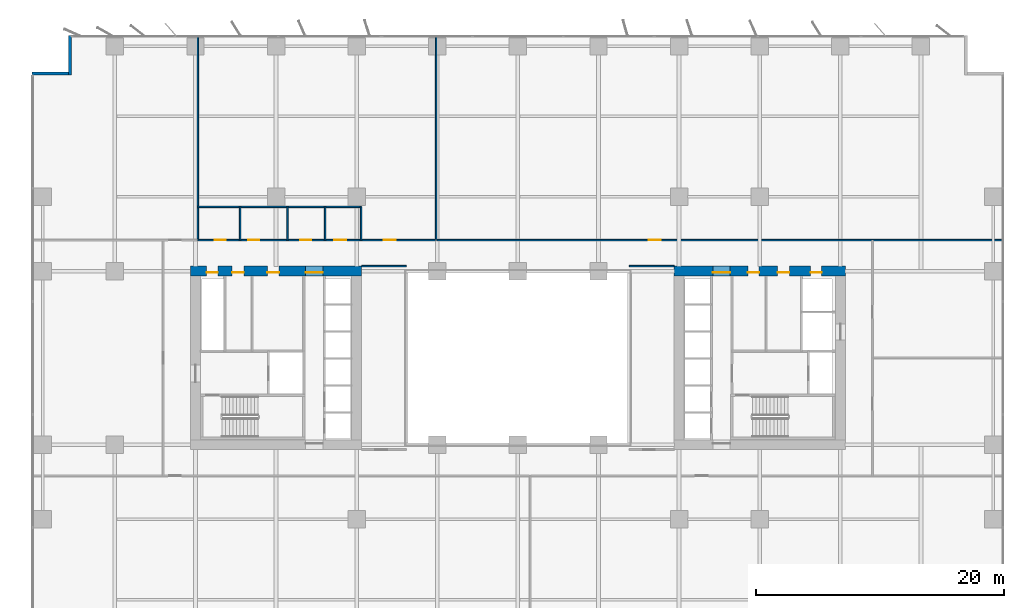
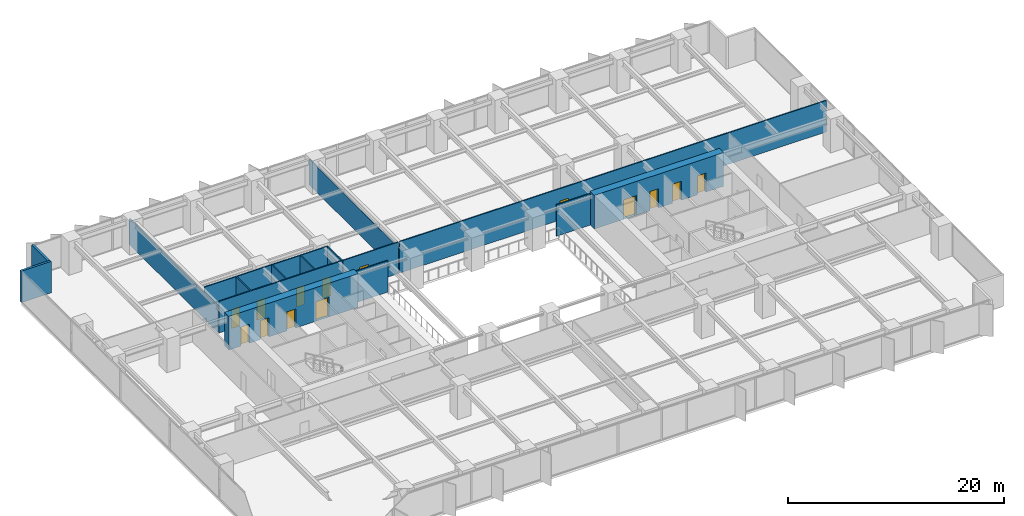
# One storey, part 15 of 20: 16 walls, 14 doors, 14 openings.
"""IFC4 building model written with IfcOpenShell, lengths in metres."""

from ifc_helpers import new_model, si_unit, direction, frame, frame_2d, origin, place, context, subcontext, project, spatial, rectangle, extrude, material, layer, layer_set, type_object, element, fill, save


model = new_model("IFC4")

# Units and contexts
model_context = context("Model", 3, precision=1e-05, world=origin(), true_north=direction((0.0, 1.0)))
body_context = subcontext(model_context, "Body", "Model", "MODEL_VIEW")
ifc_project = project(units=[si_unit("LENGTHUNIT", "METRE"), si_unit("AREAUNIT", "SQUARE_METRE"), si_unit("VOLUMEUNIT", "CUBIC_METRE"), si_unit("PLANEANGLEUNIT", "RADIAN"), si_unit("MASSUNIT", "GRAM", prefix="KILO")], contexts=[model_context])

# Site, building, storey
site_placement = place(None, origin())
site = spatial("IfcSite", under=ifc_project, at=site_placement, CompositionType="ELEMENT")
building_placement = place(site_placement, origin())
building = spatial("IfcBuilding", under=site, at=building_placement, Name="Putna Gate Headquarters", CompositionType="ELEMENT")
storey_placement = place(building_placement, frame((0.0, 0.0, 31.60009765625)))
storey = spatial("IfcBuildingStorey", under=building, at=storey_placement, Name="L06", CompositionType="ELEMENT", Elevation=31.60009765625)

# Wall, openings, doors
ifc_material_1 = material(Name="Concrete C60/75", Category="concrete")
ifc_layer_1 = layer(ifc_material_1, 0.800048828125)
ifc_layer_set_1 = layer_set([ifc_layer_1], Name="Concrete C60/75")
wall_type_1 = type_object("IfcWallType", Name="WALL-CORE-800", PredefinedType="SHEAR", material=ifc_layer_set_1)
wall_1_placement = place(storey_placement, frame((12.60009765625, 33.0, 0.0), z_axis=(0.0, 0.0, 1.0), x_axis=(1.0, 0.0, 0.0)))
wall_1 = element("IfcWall", 1, at=wall_1_placement, inside=storey, type_object=wall_type_1, Name="L06 WC Split Core Shear Wall N", PredefinedType="SHEAR", context=body_context, shape_type="SweptSolid", body=[
    extrude(rectangle(XDim=13.7998046875, YDim=0.800048828125, at=frame_2d((6.89990234375, 0.0))), origin(), (0.0, 0.0, 1.0), 3.7998046875),
])
opening_1_placement = place(wall_1_placement, frame((1.300048828125, 0.0, 0.0)))
opening_1 = element("IfcOpeningElement", 2, at=opening_1_placement, cuts=wall_1, Name="Opening RD-90", PredefinedType="OPENING", context=body_context, shape_type="SweptSolid", body=[
    extrude(rectangle(XDim=0.89990234375, YDim=2.14990234375, at=frame_2d((0.449951171875, 1.074951171875))), frame((0.0, 0.409912109375, 0.0), z_axis=(0.0, -1.0, 0.0), x_axis=(1.0, 0.0, 0.0)), (0.0, 0.0, 1.0), 0.820068359375),
])
opening_2_placement = place(wall_1_placement, frame((3.35009765625, 0.0, 0.0)))
opening_2 = element("IfcOpeningElement", 3, at=opening_2_placement, cuts=wall_1, Name="Opening IDS-95", PredefinedType="OPENING", context=body_context, shape_type="SweptSolid", body=[
    extrude(rectangle(XDim=0.949951171875, YDim=2.14990234375, at=frame_2d((0.47509765625, 1.074951171875))), frame((0.0, 0.409912109375, 0.0), z_axis=(0.0, -1.0, 0.0), x_axis=(1.0, 0.0, 0.0)), (0.0, 0.0, 1.0), 0.820068359375),
])
opening_3_placement = place(wall_1_placement, frame((6.199951171875, 0.0, 0.0)))
opening_3 = element("IfcOpeningElement", 4, at=opening_3_placement, cuts=wall_1, Name="Opening IDS-95", PredefinedType="OPENING", context=body_context, shape_type="SweptSolid", body=[
    extrude(rectangle(XDim=0.949951171875, YDim=2.14990234375, at=frame_2d((0.47509765625, 1.074951171875))), frame((0.0, 0.409912109375, 0.0), z_axis=(0.0, -1.0, 0.0), x_axis=(1.0, 0.0, 0.0)), (0.0, 0.0, 1.0), 0.820068359375),
])
opening_4_placement = place(wall_1_placement, frame((9.280029296875, 0.0, 0.0)))
opening_4 = element("IfcOpeningElement", 5, at=opening_4_placement, cuts=wall_1, Name="Opening FDD-140", PredefinedType="OPENING", context=body_context, shape_type="SweptSolid", body=[
    extrude(rectangle(XDim=1.39990234375, YDim=2.199951171875, at=frame_2d((0.699951171875, 1.10009765625))), frame((0.0, 0.409912109375, 0.0), z_axis=(0.0, -1.0, 0.0), x_axis=(1.0, 0.0, 0.0)), (0.0, 0.0, 1.0), 0.820068359375),
])
ifc_material_2 = material(Name="Double steel fire door", Category="steel")
door_type_1 = type_object("IfcDoorType", Name="DOOR-FIRE-DBL-1400", OperationType="DOUBLE_DOOR_SINGLE_SWING", PredefinedType="DOOR", material=ifc_material_2)
door_1_placement = place(opening_4_placement, origin())
door_1 = element("IfcDoor", 6, at=door_1_placement, inside=storey, type_object=door_type_1, Name="L06 West Lift Lobby North Door", OperationType="DOUBLE_DOOR_SINGLE_SWING", OverallHeight=2.199951171875, OverallWidth=1.39990234375, PredefinedType="DOOR", context=body_context, shape_type="SweptSolid", body=[
    extrude(rectangle(XDim=1.39990234375, YDim=2.199951171875, at=frame_2d((0.699951171875, 1.10009765625))), frame((0.0, -0.0751953125, 0.0), z_axis=(0.0, -1.0, 0.0), x_axis=(1.0, 0.0, 0.0)), (0.0, 0.0, 1.0), 0.050048828125),
])
fill(opening_4, door_1)
ifc_material_3 = material(Name="Fire-rated service timber door", Category="wood")
door_type_2 = type_object("IfcDoorType", Name="DOOR-INT-950", OperationType="NOTDEFINED", PredefinedType="DOOR", material=ifc_material_3)
door_2_placement = place(opening_2_placement, origin())
door_2 = element("IfcDoor", 7, at=door_2_placement, inside=storey, type_object=door_type_2, Name="L06 Archive Store Door", OperationType="SINGLE_SWING_LEFT", OverallHeight=2.14990234375, OverallWidth=0.949951171875, PredefinedType="DOOR", context=body_context, shape_type="SweptSolid", body=[
    extrude(rectangle(XDim=0.949951171875, YDim=2.14990234375, at=frame_2d((0.47509765625, 1.074951171875))), frame((0.0, -0.0751953125, 0.0), z_axis=(0.0, -1.0, 0.0), x_axis=(1.0, 0.0, 0.0)), (0.0, 0.0, 1.0), 0.050048828125),
])
fill(opening_2, door_2)
door_3_placement = place(opening_3_placement, origin())
door_3 = element("IfcDoor", 8, at=door_3_placement, inside=storey, type_object=door_type_2, Name="L06 Switchgear Plant Door", OperationType="SINGLE_SWING_RIGHT", OverallHeight=2.14990234375, OverallWidth=0.949951171875, PredefinedType="DOOR", context=body_context, shape_type="SweptSolid", body=[
    extrude(rectangle(XDim=0.949951171875, YDim=2.14990234375, at=frame_2d((0.47509765625, 1.074951171875))), frame((0.0, -0.0751953125, 0.0), z_axis=(0.0, -1.0, 0.0), x_axis=(1.0, 0.0, 0.0)), (0.0, 0.0, 1.0), 0.050048828125),
])
fill(opening_3, door_3)
ifc_material_4 = material(Name="Steel riser access fire door", Category="steel")
door_type_3 = type_object("IfcDoorType", Name="DOOR-RISER-900", OperationType="NOTDEFINED", PredefinedType="DOOR", material=ifc_material_4)
door_4_placement = place(opening_1_placement, origin())
door_4 = element("IfcDoor", 9, at=door_4_placement, inside=storey, type_object=door_type_3, Name="L06 West Riser Access Door", OperationType="SINGLE_SWING_RIGHT", OverallHeight=2.14990234375, OverallWidth=0.89990234375, PredefinedType="DOOR", context=body_context, shape_type="SweptSolid", body=[
    extrude(rectangle(XDim=0.89990234375, YDim=2.14990234375, at=frame_2d((0.449951171875, 1.074951171875))), frame((0.0, -0.0751953125, 0.0), z_axis=(0.0, -1.0, 0.0), x_axis=(1.0, 0.0, 0.0)), (0.0, 0.0, 1.0), 0.050048828125),
])
fill(opening_1, door_4)

wall_2_placement = place(storey_placement, frame((51.60009765625, 33.0, 0.0), z_axis=(0.0, 0.0, 1.0), x_axis=(1.0, 0.0, 0.0)))
wall_2 = element("IfcWall", 10, at=wall_2_placement, inside=storey, type_object=wall_type_1, Name="L06 EC Split Core Shear Wall N", PredefinedType="SHEAR", context=body_context, shape_type="SweptSolid", body=[
    extrude(rectangle(XDim=13.7998046875, YDim=0.800048828125, at=frame_2d((6.89990234375, 0.0))), origin(), (0.0, 0.0, 1.0), 3.7998046875),
])
opening_5_placement = place(wall_2_placement, frame((3.1201171875, 0.0, 0.0)))
opening_5 = element("IfcOpeningElement", 11, at=opening_5_placement, cuts=wall_2, Name="Opening FDD-140", PredefinedType="OPENING", context=body_context, shape_type="SweptSolid", body=[
    extrude(rectangle(XDim=1.39990234375, YDim=2.199951171875, at=frame_2d((0.699951171875, 1.10009765625))), frame((0.0, 0.409912109375, 0.0), z_axis=(0.0, -1.0, 0.0), x_axis=(1.0, 0.0, 0.0)), (0.0, 0.0, 1.0), 0.820068359375),
])
opening_6_placement = place(wall_2_placement, frame((11.0, 0.0, 0.0)))
opening_6 = element("IfcOpeningElement", 12, at=opening_6_placement, cuts=wall_2, Name="Opening RD-90", PredefinedType="OPENING", context=body_context, shape_type="SweptSolid", body=[
    extrude(rectangle(XDim=0.89990234375, YDim=2.14990234375, at=frame_2d((0.449951171875, 1.074951171875))), frame((0.0, 0.409912109375, 0.0), z_axis=(0.0, -1.0, 0.0), x_axis=(1.0, 0.0, 0.0)), (0.0, 0.0, 1.0), 0.820068359375),
])
opening_7_placement = place(wall_2_placement, frame((5.949951171875, 0.0, 0.0)))
opening_7 = element("IfcOpeningElement", 13, at=opening_7_placement, cuts=wall_2, Name="Opening IDS-90", PredefinedType="OPENING", context=body_context, shape_type="SweptSolid", body=[
    extrude(rectangle(XDim=0.89990234375, YDim=2.14990234375, at=frame_2d((0.449951171875, 1.074951171875))), frame((0.0, 0.409912109375, 0.0), z_axis=(0.0, -1.0, 0.0), x_axis=(1.0, 0.0, 0.0)), (0.0, 0.0, 1.0), 0.820068359375),
])
opening_8_placement = place(wall_2_placement, frame((8.35009765625, 0.0, 0.0)))
opening_8 = element("IfcOpeningElement", 14, at=opening_8_placement, cuts=wall_2, Name="Opening IDS-95", PredefinedType="OPENING", context=body_context, shape_type="SweptSolid", body=[
    extrude(rectangle(XDim=0.949951171875, YDim=2.14990234375, at=frame_2d((0.47509765625, 1.074951171875))), frame((0.0, 0.409912109375, 0.0), z_axis=(0.0, -1.0, 0.0), x_axis=(1.0, 0.0, 0.0)), (0.0, 0.0, 1.0), 0.820068359375),
])
door_5_placement = place(opening_5_placement, origin())
door_5 = element("IfcDoor", 15, at=door_5_placement, inside=storey, type_object=door_type_1, Name="L06 East Lift Lobby North Door", OperationType="DOUBLE_DOOR_SINGLE_SWING", OverallHeight=2.199951171875, OverallWidth=1.39990234375, PredefinedType="DOOR", context=body_context, shape_type="SweptSolid", body=[
    extrude(rectangle(XDim=1.39990234375, YDim=2.199951171875, at=frame_2d((0.699951171875, 1.10009765625))), frame((0.0, -0.0751953125, 0.0), z_axis=(0.0, -1.0, 0.0), x_axis=(1.0, 0.0, 0.0)), (0.0, 0.0, 1.0), 0.050048828125),
])
fill(opening_5, door_5)
ifc_material_5 = material(Name="Fire-rated utility door")
door_type_4 = type_object("IfcDoorType", Name="DOOR-INT-900", OperationType="NOTDEFINED", PredefinedType="DOOR", material=ifc_material_5)
door_6_placement = place(opening_7_placement, origin())
door_6 = element("IfcDoor", 16, at=door_6_placement, inside=storey, type_object=door_type_4, Name="L06 Telecoms Plant Door", OperationType="SINGLE_SWING_LEFT", OverallHeight=2.14990234375, OverallWidth=0.89990234375, PredefinedType="DOOR", context=body_context, shape_type="SweptSolid", body=[
    extrude(rectangle(XDim=0.89990234375, YDim=2.14990234375, at=frame_2d((0.449951171875, 1.074951171875))), frame((0.0, -0.0751953125, 0.0), z_axis=(0.0, -1.0, 0.0), x_axis=(1.0, 0.0, 0.0)), (0.0, 0.0, 1.0), 0.050048828125),
])
fill(opening_7, door_6)
door_7_placement = place(opening_8_placement, origin())
door_7 = element("IfcDoor", 17, at=door_7_placement, inside=storey, type_object=door_type_2, Name="L06 Supplies Store Door", OperationType="SINGLE_SWING_RIGHT", OverallHeight=2.14990234375, OverallWidth=0.949951171875, PredefinedType="DOOR", context=body_context, shape_type="SweptSolid", body=[
    extrude(rectangle(XDim=0.949951171875, YDim=2.14990234375, at=frame_2d((0.47509765625, 1.074951171875))), frame((0.0, -0.0751953125, 0.0), z_axis=(0.0, -1.0, 0.0), x_axis=(1.0, 0.0, 0.0)), (0.0, 0.0, 1.0), 0.050048828125),
])
fill(opening_8, door_7)
door_8_placement = place(opening_6_placement, origin())
door_8 = element("IfcDoor", 18, at=door_8_placement, inside=storey, type_object=door_type_3, Name="L06 East Riser Access Door", OperationType="SINGLE_SWING_LEFT", OverallHeight=2.14990234375, OverallWidth=0.89990234375, PredefinedType="DOOR", context=body_context, shape_type="SweptSolid", body=[
    extrude(rectangle(XDim=0.89990234375, YDim=2.14990234375, at=frame_2d((0.449951171875, 1.074951171875))), frame((0.0, -0.0751953125, 0.0), z_axis=(0.0, -1.0, 0.0), x_axis=(1.0, 0.0, 0.0)), (0.0, 0.0, 1.0), 0.050048828125),
])
fill(opening_6, door_8)

# Walls
ifc_material_6 = material(Name="Precast concrete C40/50", Category="concrete")
ifc_layer_2 = layer(ifc_material_6, 0.239990234375)
ifc_layer_set_2 = layer_set([ifc_layer_2], Name="Precast concrete C40/50")
wall_type_2 = type_object("IfcWallType", Name="WALL-EXT-TERR-240", PredefinedType="STANDARD", material=ifc_layer_set_2)
for number, where, z_axis, x_axis, name in (
    (19, (2.8798828125, 48.800048828125, 0.0), (0.0, 0.0, 1.0), (0.0, 1.0, 0.0), "L06 Corner Notch Return Wall NW-V"),
    (20, (-0.199951171875, 48.919921875, 0.0), (0.0, 0.0, 1.0), (1.0, 0.0, 0.0), "L06 Corner Notch Return Wall NW-H"),
):
    element("IfcWall", number, at=place(storey_placement, frame(where, z_axis=z_axis, x_axis=x_axis)), inside=storey, type_object=wall_type_2, Name=name, PredefinedType="STANDARD", context=body_context, shape_type="SweptSolid", body=[
        extrude(rectangle(XDim=3.199951171875, YDim=0.239990234375, at=frame_2d((1.60009765625, 0.0))), origin(), (0.0, 0.0, 1.0), 3.5498046875),
    ])
ifc_material_7 = material(Name="Acoustic gypsum board on metal stud")
ifc_layer_3 = layer(ifc_material_7, 0.1201171875)
ifc_layer_set_3 = layer_set([ifc_layer_3], Name="Acoustic gypsum board on metal stud")
wall_type_3 = type_object("IfcWallType", Name="WALL-PART-120", PredefinedType="PARTITIONING", material=ifc_layer_set_3)
for number, where, z_axis, x_axis, name in (
    (21, (26.39990234375, 33.39990234375, 0.0), (0.0, 0.0, 1.0), (1.0, 0.0, 0.0), "L06 Interior Wall PART-L06-ATR-W-N"),
    (22, (48.0, 33.39990234375, 0.0), (0.0, 0.0, 1.0), (1.0, 0.0, 0.0), "L06 Interior Wall PART-L06-ATR-E-N"),
):
    element("IfcWall", number, at=place(storey_placement, frame(where, z_axis=z_axis, x_axis=x_axis)), inside=storey, type_object=wall_type_3, Name=name, PredefinedType="PARTITIONING", context=body_context, shape_type="SweptSolid", body=[
        extrude(rectangle(XDim=3.60009765625, YDim=0.1201171875, at=frame_2d((1.800048828125, 0.0))), origin(), (0.0, 0.0, 1.0), 3.5498046875),
    ])
for number, where, z_axis, x_axis, name in (
    (23, (13.199951171875, 35.56005859375, 0.0), (0.0, 0.0, 1.0), (0.0, 1.0, 0.0), "L06 Interior Wall PART-L06-NB-DIV-01"),
    (24, (32.39990234375, 35.56005859375, 0.0), (0.0, 0.0, 1.0), (0.0, 1.0, 0.0), "L06 Interior Wall PART-L06-NB-DIV-02"),
):
    element("IfcWall", number, at=place(storey_placement, frame(where, z_axis=z_axis, x_axis=x_axis)), inside=storey, type_object=wall_type_3, Name=name, PredefinedType="PARTITIONING", context=body_context, shape_type="SweptSolid", body=[
        extrude(rectangle(XDim=16.419921875, YDim=0.1201171875, at=frame_2d((8.2099609375, 0.0))), origin(), (0.0, 0.0, 1.0), 2.89990234375),
    ])

# Wall, openings, doors
ifc_material_8 = material(Name="Fire-rated gypsum board on metal stud")
ifc_layer_4 = layer(ifc_material_8, 0.1201171875)
ifc_layer_set_4 = layer_set([ifc_layer_4], Name="Fire-rated gypsum board on metal stud")
wall_type_4 = type_object("IfcWallType", Name="WALL-PART-120-RATED", PredefinedType="PARTITIONING", material=ifc_layer_set_4)
wall_3_placement = place(storey_placement, frame((13.199951171875, 35.5, 0.0), z_axis=(0.0, 0.0, 1.0), x_axis=(1.0, 0.0, 0.0)))
wall_3 = element("IfcWall", 25, at=wall_3_placement, inside=storey, type_object=wall_type_4, Name="L06 Interior Wall PART-L06-SAN-CW", PredefinedType="PARTITIONING", context=body_context, shape_type="SweptSolid", body=[
    extrude(rectangle(XDim=13.16015625, YDim=0.1201171875, at=frame_2d((6.580078125, 0.0))), origin(), (0.0, 0.0, 1.0), 3.5498046875),
])
opening_9_placement = place(wall_3_placement, frame((1.35009765625, 0.0, 0.0)))
opening_9 = element("IfcOpeningElement", 26, at=opening_9_placement, cuts=wall_3, Name="Opening FD-90", PredefinedType="OPENING", context=body_context, shape_type="SweptSolid", body=[
    extrude(rectangle(XDim=0.89990234375, YDim=2.14990234375, at=frame_2d((0.449951171875, 1.074951171875))), frame((0.0, 0.070068359375, 0.0), z_axis=(0.0, -1.0, 0.0), x_axis=(1.0, 0.0, 0.0)), (0.0, 0.0, 1.0), 0.14013671875),
])
opening_10_placement = place(wall_3_placement, frame((4.050048828125, 0.0, 0.0)))
opening_10 = element("IfcOpeningElement", 27, at=opening_10_placement, cuts=wall_3, Name="Opening FD-90", PredefinedType="OPENING", context=body_context, shape_type="SweptSolid", body=[
    extrude(rectangle(XDim=0.89990234375, YDim=2.14990234375, at=frame_2d((0.449951171875, 1.074951171875))), frame((0.0, 0.070068359375, 0.0), z_axis=(0.0, -1.0, 0.0), x_axis=(1.0, 0.0, 0.0)), (0.0, 0.0, 1.0), 0.14013671875),
])
opening_11_placement = place(wall_3_placement, frame((8.25, 0.0, 0.0)))
opening_11 = element("IfcOpeningElement", 28, at=opening_11_placement, cuts=wall_3, Name="Opening FD-90", PredefinedType="OPENING", context=body_context, shape_type="SweptSolid", body=[
    extrude(rectangle(XDim=0.89990234375, YDim=2.14990234375, at=frame_2d((0.449951171875, 1.074951171875))), frame((0.0, 0.070068359375, 0.0), z_axis=(0.0, -1.0, 0.0), x_axis=(1.0, 0.0, 0.0)), (0.0, 0.0, 1.0), 0.14013671875),
])
opening_12_placement = place(wall_3_placement, frame((11.0, 0.0, 0.0)))
opening_12 = element("IfcOpeningElement", 29, at=opening_12_placement, cuts=wall_3, Name="Opening FD-95", PredefinedType="OPENING", context=body_context, shape_type="SweptSolid", body=[
    extrude(rectangle(XDim=0.949951171875, YDim=2.14990234375, at=frame_2d((0.47509765625, 1.074951171875))), frame((0.0, 0.070068359375, 0.0), z_axis=(0.0, -1.0, 0.0), x_axis=(1.0, 0.0, 0.0)), (0.0, 0.0, 1.0), 0.14013671875),
])
ifc_material_9 = material(Name="Acoustic washroom fire door")
door_type_5 = type_object("IfcDoorType", Name="DOOR-FIRE-900", OperationType="NOTDEFINED", PredefinedType="DOOR", material=ifc_material_9)
door_9_placement = place(opening_9_placement, origin())
door_9 = element("IfcDoor", 30, at=door_9_placement, inside=storey, type_object=door_type_5, Name="L06 Washroom Male Door", OperationType="SINGLE_SWING_LEFT", OverallHeight=2.14990234375, OverallWidth=0.89990234375, PredefinedType="DOOR", context=body_context, shape_type="SweptSolid", body=[
    extrude(rectangle(XDim=0.89990234375, YDim=2.14990234375, at=frame_2d((0.449951171875, 1.074951171875))), frame((0.0, 0.02490234375, 0.0), z_axis=(0.0, -1.0, 0.0), x_axis=(1.0, 0.0, 0.0)), (0.0, 0.0, 1.0), 0.050048828125),
])
fill(opening_9, door_9)
door_10_placement = place(opening_10_placement, origin())
door_10 = element("IfcDoor", 31, at=door_10_placement, inside=storey, type_object=door_type_5, Name="L06 Washroom Female Door", OperationType="SINGLE_SWING_RIGHT", OverallHeight=2.14990234375, OverallWidth=0.89990234375, PredefinedType="DOOR", context=body_context, shape_type="SweptSolid", body=[
    extrude(rectangle(XDim=0.89990234375, YDim=2.14990234375, at=frame_2d((0.449951171875, 1.074951171875))), frame((0.0, 0.02490234375, 0.0), z_axis=(0.0, -1.0, 0.0), x_axis=(1.0, 0.0, 0.0)), (0.0, 0.0, 1.0), 0.050048828125),
])
fill(opening_10, door_10)
door_11_placement = place(opening_11_placement, origin())
door_11 = element("IfcDoor", 32, at=door_11_placement, inside=storey, type_object=door_type_5, Name="L06 Accessible WC Door", OperationType="SINGLE_SWING_LEFT", OverallHeight=2.14990234375, OverallWidth=0.89990234375, PredefinedType="DOOR", context=body_context, shape_type="SweptSolid", body=[
    extrude(rectangle(XDim=0.89990234375, YDim=2.14990234375, at=frame_2d((0.449951171875, 1.074951171875))), frame((0.0, 0.02490234375, 0.0), z_axis=(0.0, -1.0, 0.0), x_axis=(1.0, 0.0, 0.0)), (0.0, 0.0, 1.0), 0.050048828125),
])
fill(opening_11, door_11)
ifc_material_10 = material(Name="Acoustic timber fire door", Category="wood")
door_type_6 = type_object("IfcDoorType", Name="DOOR-FIRE-950", OperationType="NOTDEFINED", PredefinedType="DOOR", material=ifc_material_10)
door_12_placement = place(opening_12_placement, origin())
door_12 = element("IfcDoor", 33, at=door_12_placement, inside=storey, type_object=door_type_6, Name="L06 Staff Pantry and Tea Point Door", OperationType="SINGLE_SWING_RIGHT", OverallHeight=2.14990234375, OverallWidth=0.949951171875, PredefinedType="DOOR", context=body_context, shape_type="SweptSolid", body=[
    extrude(rectangle(XDim=0.949951171875, YDim=2.14990234375, at=frame_2d((0.47509765625, 1.074951171875))), frame((0.0, 0.02490234375, 0.0), z_axis=(0.0, -1.0, 0.0), x_axis=(1.0, 0.0, 0.0)), (0.0, 0.0, 1.0), 0.050048828125),
])
fill(opening_12, door_12)

# Walls
wall_4_placement = place(storey_placement, frame((13.199951171875, 38.179931640625, 0.0), z_axis=(0.0, 0.0, 1.0), x_axis=(1.0, 0.0, 0.0)))
element("IfcWall", 34, at=wall_4_placement, inside=storey, type_object=wall_type_4, Name="L06 Interior Wall PART-L06-SAN-BACK", PredefinedType="PARTITIONING", context=body_context, shape_type="SweptSolid", body=[
    extrude(rectangle(XDim=13.16015625, YDim=0.1201171875, at=frame_2d((6.580078125, 0.0))), origin(), (0.0, 0.0, 1.0), 3.5498046875),
])
for number, where, z_axis, x_axis, name in (
    (35, (16.60009765625, 35.5, 0.0), (0.0, 0.0, 1.0), (0.0, 1.0, 0.0), "L06 Interior Wall PART-L06-SAN-DIV-1"),
    (36, (20.419921875, 35.5, 0.0), (0.0, 0.0, 1.0), (0.0, 1.0, 0.0), "L06 Interior Wall PART-L06-SAN-DIV-2"),
    (37, (23.4599609375, 35.5, 0.0), (0.0, 0.0, 1.0), (0.0, 1.0, 0.0), "L06 Interior Wall PART-L06-SAN-DIV-3"),
    (38, (26.360107421875, 35.5, 0.0), (0.0, 0.0, 1.0), (0.0, 1.0, 0.0), "L06 Interior Wall PART-L06-SAN-DIV-4"),
):
    element("IfcWall", number, at=place(storey_placement, frame(where, z_axis=z_axis, x_axis=x_axis)), inside=storey, type_object=wall_type_4, Name=name, PredefinedType="PARTITIONING", context=body_context, shape_type="SweptSolid", body=[
        extrude(rectangle(XDim=2.679931640625, YDim=0.1201171875, at=frame_2d((1.33984375, 0.0))), origin(), (0.0, 0.0, 1.0), 3.5498046875),
    ])

# Wall, opening, door
wall_5_placement = place(storey_placement, frame((26.419921875, 35.5, 0.0), z_axis=(0.0, 0.0, 1.0), x_axis=(1.0, 0.0, 0.0)))
wall_5 = element("IfcWall", 39, at=wall_5_placement, inside=storey, type_object=wall_type_4, Name="L06 Interior Wall PART-L06-NB-CW-02", PredefinedType="PARTITIONING", context=body_context, shape_type="SweptSolid", body=[
    extrude(rectangle(XDim=5.920166015625, YDim=0.1201171875, at=frame_2d((2.9599609375, 0.0))), origin(), (0.0, 0.0, 1.0), 3.5498046875),
])
opening_13_placement = place(wall_5_placement, frame((1.77587890625, 0.0, 0.0)))
opening_13 = element("IfcOpeningElement", 40, at=opening_13_placement, cuts=wall_5, Name="Opening FD-95", PredefinedType="OPENING", context=body_context, shape_type="SweptSolid", body=[
    extrude(rectangle(XDim=0.949951171875, YDim=2.14990234375, at=frame_2d((0.47509765625, 1.074951171875))), frame((0.0, 0.070068359375, 0.0), z_axis=(0.0, -1.0, 0.0), x_axis=(1.0, 0.0, 0.0)), (0.0, 0.0, 1.0), 0.14013671875),
])
door_13_placement = place(opening_13_placement, origin())
door_13 = element("IfcDoor", 41, at=door_13_placement, inside=storey, type_object=door_type_6, Name="L06 Primary Open Office Workplace Door", OperationType="SINGLE_SWING_RIGHT", OverallHeight=2.14990234375, OverallWidth=0.949951171875, PredefinedType="DOOR", context=body_context, shape_type="SweptSolid", body=[
    extrude(rectangle(XDim=0.949951171875, YDim=2.14990234375, at=frame_2d((0.47509765625, 1.074951171875))), frame((0.0, 0.02490234375, 0.0), z_axis=(0.0, -1.0, 0.0), x_axis=(1.0, 0.0, 0.0)), (0.0, 0.0, 1.0), 0.050048828125),
])
fill(opening_13, door_13)

wall_6_placement = place(storey_placement, frame((32.4599609375, 35.5, 0.0), z_axis=(0.0, 0.0, 1.0), x_axis=(1.0, 0.0, 0.0)))
wall_6 = element("IfcWall", 42, at=wall_6_placement, inside=storey, type_object=wall_type_4, Name="L06 Interior Wall PART-L06-NB-CW-03", PredefinedType="PARTITIONING", context=body_context, shape_type="SweptSolid", body=[
    extrude(rectangle(XDim=45.56005859375, YDim=0.1201171875, at=frame_2d((22.780029296875, 0.0))), origin(), (0.0, 0.0, 1.0), 3.5498046875),
])
opening_14_placement = place(wall_6_placement, frame((17.094970703125, 0.0, 0.0)))
opening_14 = element("IfcOpeningElement", 43, at=opening_14_placement, cuts=wall_6, Name="Opening FD-95", PredefinedType="OPENING", context=body_context, shape_type="SweptSolid", body=[
    extrude(rectangle(XDim=0.949951171875, YDim=2.14990234375, at=frame_2d((0.47509765625, 1.074951171875))), frame((0.0, 0.070068359375, 0.0), z_axis=(0.0, -1.0, 0.0), x_axis=(1.0, 0.0, 0.0)), (0.0, 0.0, 1.0), 0.14013671875),
])
door_14_placement = place(opening_14_placement, origin())
door_14 = element("IfcDoor", 44, at=door_14_placement, inside=storey, type_object=door_type_6, Name="L06 Collaborative Breakout Lounge 1 Door", OperationType="SINGLE_SWING_LEFT", OverallHeight=2.14990234375, OverallWidth=0.949951171875, PredefinedType="DOOR", context=body_context, shape_type="SweptSolid", body=[
    extrude(rectangle(XDim=0.949951171875, YDim=2.14990234375, at=frame_2d((0.47509765625, 1.074951171875))), frame((0.0, 0.02490234375, 0.0), z_axis=(0.0, -1.0, 0.0), x_axis=(1.0, 0.0, 0.0)), (0.0, 0.0, 1.0), 0.050048828125),
])
fill(opening_14, door_14)

save(model, "model.ifc")
